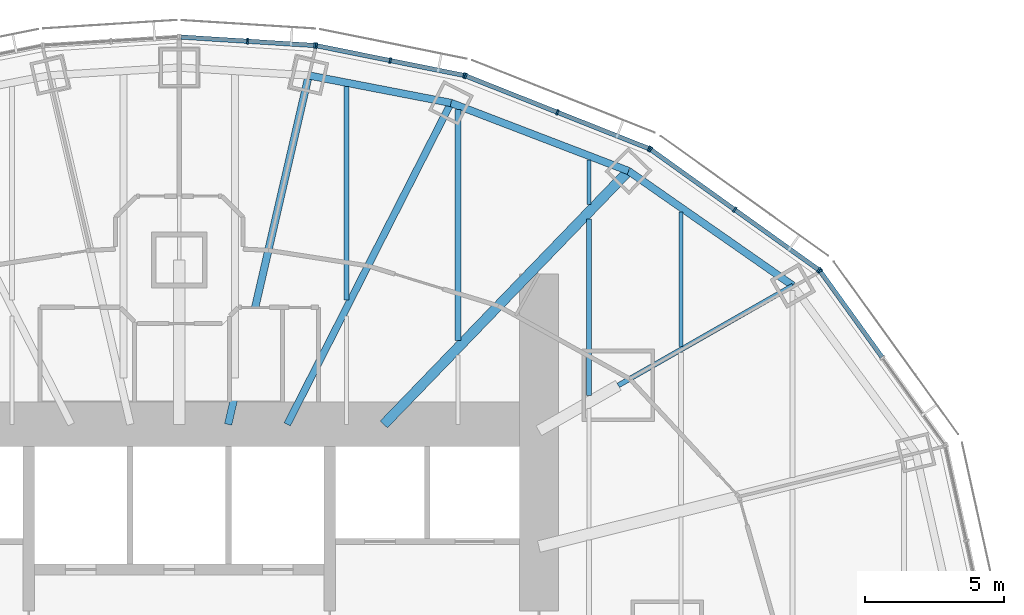
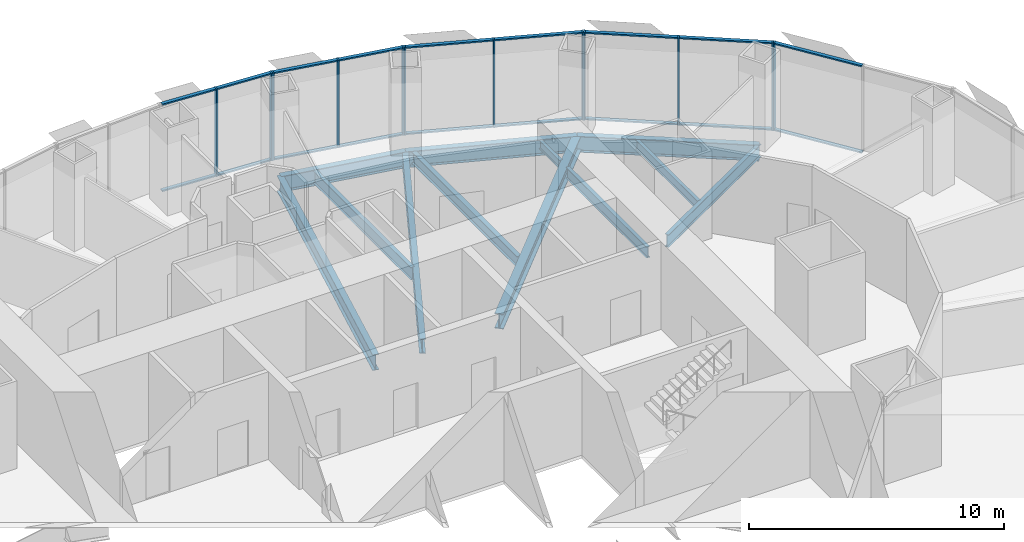
# One storey, part 8 of 17: 30 members, 12 beams, 5 elements without a shape of their own.
"""IFC4 building model written with IfcOpenShell, lengths in metres."""

import ifcopenshell
import ifcopenshell.guid

model = None  # the IFC model being written
_history = None  # IfcOwnerHistory: only IFC2X3 demands one
_inside = {}  # id of a spatial element -> (the spatial element, [elements in it])
_under = {}  # id of a project, library or spatial element -> (it, [spatial elements below it])
_declared = {}  # id of a project -> (the project, [libraries it declares])
_typed = {}  # id of a type object -> (the type object, [elements of that type])
_made_of = {}  # id of a material, layer set ... -> (it, [elements and type objects made of it])


def new_model(schema):
    """Start an empty IFC model of exactly this schema.

    Asked for "IFC4X3", IfcOpenShell would pick the latest addendum, in which some entities
    have other attributes; the version numbers below select the first issue.
    IFC2X3 requires an IfcOwnerHistory on every rooted entity: one is made here for all.
    """
    global model, _history
    if schema == "IFC4X3":
        model = ifcopenshell.file(schema_version=(4, 3, 0, 0))
    else:
        model = ifcopenshell.file(schema=schema)
    _inside.clear()
    _under.clear()
    _declared.clear()
    _typed.clear()
    _made_of.clear()
    _history = None
    if model.schema == "IFC2X3":
        org = make("IfcOrganization", Name="unknown")
        user = make(
            "IfcPersonAndOrganization",
            ThePerson=make("IfcPerson", FamilyName="unknown"),
            TheOrganization=org,
        )
        app = make(
            "IfcApplication",
            ApplicationDeveloper=org,
            Version="unknown",
            ApplicationFullName="unknown",
            ApplicationIdentifier="unknown",
        )
        _history = make(
            "IfcOwnerHistory",
            OwningUser=user,
            OwningApplication=app,
            ChangeAction="ADDED",
            CreationDate=0,
        )
    return model


def make(cls, **values):
    """One entity of the class cls with the attributes given. An attribute that is None is left unset."""
    return model.create_entity(
        cls, **{name: value for name, value in values.items() if value is not None}
    )


def rooted(cls, **values):
    """An entity with a GlobalId (a new one), such as an element, a storey or a relation."""
    return make(cls, GlobalId=ifcopenshell.guid.new(), OwnerHistory=_history, **values)


def si_unit(unit_type, name, prefix=None):
    """IfcSIUnit, for example si_unit("LENGTHUNIT", "METRE", prefix="MILLI")."""
    return make("IfcSIUnit", UnitType=unit_type, Prefix=prefix, Name=name)


def assignment(units):
    """IfcUnitAssignment: the units of a project."""
    return None if units is None else make("IfcUnitAssignment", Units=units)


def point(xyz):
    """IfcCartesianPoint."""
    return None if xyz is None else make("IfcCartesianPoint", Coordinates=xyz)


def direction(xyz):
    """IfcDirection."""
    return None if xyz is None else make("IfcDirection", DirectionRatios=xyz)


def frame(location, z_axis=None, x_axis=None):
    """IfcAxis2Placement3D, a coordinate frame: its origin and axes. An axis left out is left unset."""
    return make(
        "IfcAxis2Placement3D",
        Location=point(location),
        Axis=direction(z_axis),
        RefDirection=direction(x_axis),
    )


def frame_2d(location, x_axis=None):
    """IfcAxis2Placement2D, a coordinate frame in the plane: its origin and x axis."""
    return make(
        "IfcAxis2Placement2D", Location=point(location), RefDirection=direction(x_axis)
    )


def origin():
    """The frame at (0, 0, 0) with its axes left unset."""
    return frame((0.0, 0.0, 0.0))


def origin_2d():
    """The frame at (0, 0) in the plane with its x axis left unset."""
    return frame_2d((0.0, 0.0))


def place(relative_to, where):
    """IfcLocalPlacement: puts the frame where relative to a parent placement (None: the world)."""
    return make(
        "IfcLocalPlacement", PlacementRelTo=relative_to, RelativePlacement=where
    )


def context(
    kind, dimensions, precision=None, world=None, true_north=None, identifier=None
):
    """IfcGeometricRepresentationContext, for example the 3D "Model" context."""
    return make(
        "IfcGeometricRepresentationContext",
        ContextIdentifier=identifier,
        ContextType=kind,
        CoordinateSpaceDimension=dimensions,
        Precision=precision,
        WorldCoordinateSystem=world,
        TrueNorth=true_north,
    )


def subcontext(parent, identifier, kind, view, scale=None):
    """IfcGeometricRepresentationSubContext, for example "Body" below "Model"."""
    return make(
        "IfcGeometricRepresentationSubContext",
        ContextIdentifier=identifier,
        ContextType=kind,
        ParentContext=parent,
        TargetScale=scale,
        TargetView=view,
    )


def project(units=None, contexts=None):
    """IfcProject with its units and contexts."""
    return rooted(
        "IfcProject",
        Name="project",
        RepresentationContexts=contexts,
        UnitsInContext=assignment(units),
    )


def spatial(cls, under=None, at=None, **own):
    """A site, building, storey or space (cls), placed at a placement, below another one or the project."""
    s = rooted(cls, ObjectPlacement=at, **own)
    if under is not None:
        _under.setdefault(under.id(), (under, []))[1].append(s)
    return s


def profile(cls, at=None, kind="AREA", **sizes):
    """A parametric profile (cls). Its sizes go by their IFC names, for example OverallWidth=200.0."""
    return make(cls, ProfileType=kind, Position=at, **sizes)


def rectangle(**sizes):
    """IfcRectangleProfileDef."""
    return profile("IfcRectangleProfileDef", **sizes)


def i_section(**sizes):
    """IfcIShapeProfileDef."""
    return profile("IfcIShapeProfileDef", **sizes)


def extrude(swept, where, along, depth):
    """IfcExtrudedAreaSolid: the profile swept, set in the frame where, extruded along a direction by depth."""
    return make(
        "IfcExtrudedAreaSolid",
        SweptArea=swept,
        Position=where,
        ExtrudedDirection=direction(along),
        Depth=depth,
    )


def shape(context_of_items, identifier, shape_type, items):
    """IfcShapeRepresentation: the items that make up one representation, for example the "Body"."""
    return make(
        "IfcShapeRepresentation",
        ContextOfItems=context_of_items,
        RepresentationIdentifier=identifier,
        RepresentationType=shape_type,
        Items=items,
    )


def material(Name=None, Category=None):
    """IfcMaterial."""
    return make("IfcMaterial", Name=Name, Category=Category)


def material_profile(
    of_material, cross_section, Name=None, Category=None, Priority=None
):
    """IfcMaterialProfile: a cross section and its material."""
    return make(
        "IfcMaterialProfile",
        Name=Name,
        Material=of_material,
        Profile=cross_section,
        Priority=Priority,
        Category=Category,
    )


def profile_set(profiles, Name=None, composite=None):
    """IfcMaterialProfileSet."""
    return make(
        "IfcMaterialProfileSet",
        Name=Name,
        MaterialProfiles=profiles,
        CompositeProfile=composite,
    )


def made_of(thing, what):
    """Note that an element or type object is made of a material, layer set ...; save() writes the relation."""
    if what is not None:
        _made_of.setdefault(what.id(), (what, []))[1].append(thing)
    return thing


def type_object(cls, material=None, **own):
    """A type object (cls), such as IfcWallType, which elements share."""
    return made_of(rooted(cls, **own), material)


def element(
    cls,
    number,
    at=None,
    inside=None,
    cuts=None,
    type_object=None,
    material=None,
    context=None,
    identifier="Body",
    shape_type=None,
    held_by="IfcProductDefinitionShape",
    body=None,
    shapes=None,
    **own,
):
    """One element of the class cls, such as IfcWall. Its Tag is "e" and its number.

    at: its placement. inside: the storey or other place that contains it. cuts: it is an
    opening in that element (IfcRelVoidsElement). A single representation is given by context,
    identifier, shape_type and body (its items); several are given by shapes. held_by: the class
    of the entity that holds the representations. save() writes the other relations.
    """
    e = rooted(cls, Tag="e%d" % number, ObjectPlacement=at, **own)
    if body is not None:
        shapes = [shape(context, identifier, shape_type, body)]
    if shapes is not None:
        e.Representation = make(held_by, Representations=shapes)
    if inside is not None:
        _inside.setdefault(inside.id(), (inside, []))[1].append(e)
    if cuts is not None:
        rooted(
            "IfcRelVoidsElement", RelatingBuildingElement=cuts, RelatedOpeningElement=e
        )
    if type_object is not None:
        _typed.setdefault(type_object.id(), (type_object, []))[1].append(e)
    return made_of(e, material)


def aggregate(whole, parts):
    """IfcRelAggregates: a whole, such as a stair, and the parts it consists of."""
    return rooted("IfcRelAggregates", RelatingObject=whole, RelatedObjects=parts)


def save(model, path):
    """Write the relations noted so far, then the file.

    IfcRelAggregates (storeys below a building ...), IfcRelContainedInSpatialStructure (elements
    in a storey), IfcRelDefinesByType, IfcRelAssociatesMaterial and IfcRelDeclares: one each for
    every whole, place, type object, material and project.
    """
    for whole, parts in _under.values():
        aggregate(whole, parts)
    for where, things in _inside.values():
        rooted(
            "IfcRelContainedInSpatialStructure",
            RelatedElements=things,
            RelatingStructure=where,
        )
    for kind, things in _typed.values():
        rooted("IfcRelDefinesByType", RelatedObjects=things, RelatingType=kind)
    for what, things in _made_of.values():
        rooted("IfcRelAssociatesMaterial", RelatedObjects=things, RelatingMaterial=what)
    for by, libraries in _declared.values():
        rooted("IfcRelDeclares", RelatingContext=by, RelatedDefinitions=libraries)
    model.write(path)


model = new_model("IFC4")

# Units and contexts
model_context = context("Model", 3, precision=1e-05, world=origin(), true_north=direction((0.0, 1.0)))
body_context = subcontext(model_context, "Body", "Model", "MODEL_VIEW")
ifc_project = project(units=[si_unit("LENGTHUNIT", "METRE"), si_unit("AREAUNIT", "SQUARE_METRE"), si_unit("VOLUMEUNIT", "CUBIC_METRE"), si_unit("PLANEANGLEUNIT", "RADIAN"), si_unit("MASSUNIT", "GRAM", prefix="KILO")], contexts=[model_context])

# Site, building, storey
site_placement = place(None, origin())
site = spatial("IfcSite", under=ifc_project, at=site_placement, CompositionType="ELEMENT")
building_placement = place(site_placement, origin())
building = spatial("IfcBuilding", under=site, at=building_placement, Name="Lantaw Convention Tower", CompositionType="ELEMENT")
storey_placement = place(building_placement, frame((0.0, 0.0, 159.39990234375)))
storey = spatial("IfcBuildingStorey", under=building, at=storey_placement, Name="L37", CompositionType="ELEMENT", Elevation=159.39990234375)

# Beams
ifc_material_1 = material(Name="Steel ASTM A992", Category="steel")
ifc_material_profile_1 = material_profile(ifc_material_1, i_section(OverallWidth=0.2666015625, OverallDepth=0.76953125, WebThickness=0.015625, FlangeThickness=0.025390625, FilletRadius=0.0126953125, at=origin_2d()), Name="W30X132")
ifc_profile_set_1 = profile_set([ifc_material_profile_1], Name="Steel ASTM A992")
beam_type_1 = type_object("IfcBeamType", Name="Beam E W30X132", PredefinedType="SPANDREL", material=ifc_profile_set_1)
beam_1_placement = place(storey_placement, frame((22.013916015625, 12.579345703125, -0.53466796875), z_axis=(-0.820310765287, 0.57191804339, 0.0), x_axis=(-0.57191804339, -0.820310765287, 0.0)))
element("IfcBeam", 1, at=beam_1_placement, inside=storey, type_object=beam_type_1, Name="Edge beam 3", PredefinedType="SPANDREL", context=body_context, shape_type="SweptSolid", body=[
    extrude(i_section(OverallWidth=0.2666015625, OverallDepth=0.76953125, WebThickness=0.015625, FlangeThickness=0.025390625, FilletRadius=0.0126953125, at=origin_2d()), origin(), (0.0, 0.0, 1.0), 7.187744140625),
])
beam_2_placement = place(storey_placement, frame((16.11767578125, 16.690185546875, -0.53466796875), z_axis=(-0.933691081977, 0.358079549033, 0.0), x_axis=(-0.358079549033, -0.933691081977, 0.0)))
element("IfcBeam", 2, at=beam_2_placement, inside=storey, type_object=beam_type_1, Name="Edge beam 4", PredefinedType="SPANDREL", context=body_context, shape_type="SweptSolid", body=[
    extrude(i_section(OverallWidth=0.2666015625, OverallDepth=0.76953125, WebThickness=0.015625, FlangeThickness=0.025390625, FilletRadius=0.0126953125, at=origin_2d()), origin(), (0.0, 0.0, 1.0), 6.821533203125),
])
beam_3_placement = place(storey_placement, frame((9.74853515625, 19.1328125, -0.53466796875), z_axis=(-0.981796805654, 0.189934284446, 0.0), x_axis=(-0.189934284446, -0.981796805654, 0.0)))
element("IfcBeam", 3, at=beam_3_placement, inside=storey, type_object=beam_type_1, Name="Edge beam 5", PredefinedType="SPANDREL", context=body_context, shape_type="SweptSolid", body=[
    extrude(i_section(OverallWidth=0.2666015625, OverallDepth=0.76953125, WebThickness=0.015625, FlangeThickness=0.025390625, FilletRadius=0.0126953125, at=origin_2d()), origin(), (0.0, 0.0, 1.0), 5.1982421875),
])
ifc_material_profile_2 = material_profile(ifc_material_1, i_section(OverallWidth=0.177978515625, OverallDepth=0.599365234375, WebThickness=0.010009765625, FlangeThickness=0.012939453125, FilletRadius=0.012939453125, at=origin_2d()), Name="W24X55")
ifc_profile_set_2 = profile_set([ifc_material_profile_2], Name="Steel ASTM A992")
beam_type_2 = type_object("IfcBeamType", Name="Beam G W24X55", PredefinedType="BEAM", material=ifc_profile_set_2)
beam_4_placement = place(storey_placement, frame((15.75, 9.0, -0.44970703125), z_axis=(0.868245224608, 0.496135293993, 0.0), x_axis=(-0.496135293993, 0.868245224608, 0.0)))
element("IfcBeam", 4, at=beam_4_placement, inside=storey, type_object=beam_type_2, Name="Floor girder on ray 3", PredefinedType="BEAM", context=body_context, shape_type="SweptSolid", body=[
    extrude(i_section(OverallWidth=0.177978515625, OverallDepth=0.599365234375, WebThickness=0.010009765625, FlangeThickness=0.012939453125, FilletRadius=0.012939453125, at=origin_2d()), origin(), (0.0, 0.0, 1.0), 7.21435546875),
])
ifc_material_profile_3 = material_profile(ifc_material_1, i_section(OverallWidth=0.25390625, OverallDepth=0.700927734375, WebThickness=0.015380859375, FlangeThickness=0.02783203125, FilletRadius=0.01513671875, at=origin_2d()), Name="W27X129")
ifc_profile_set_3 = profile_set([ifc_material_profile_3], Name="Steel ASTM A992")
beam_type_3 = type_object("IfcBeamType", Name="Beam G W27X129", PredefinedType="BEAM", material=ifc_profile_set_3)
beam_5_placement = place(storey_placement, frame((3.872314453125, 7.60009765625, -0.50048828125), z_axis=(0.453991051051, 0.891006243281, 0.0), x_axis=(-0.891006243281, 0.453991051051, 0.0)))
element("IfcBeam", 5, at=beam_5_placement, inside=storey, type_object=beam_type_3, Name="Floor girder on ray 5", PredefinedType="BEAM", context=body_context, shape_type="SweptSolid", body=[
    extrude(i_section(OverallWidth=0.25390625, OverallDepth=0.700927734375, WebThickness=0.015380859375, FlangeThickness=0.02783203125, FilletRadius=0.01513671875, at=origin_2d()), origin(), (0.0, 0.0, 1.0), 12.943359375),
])
ifc_material_profile_4 = material_profile(ifc_material_1, i_section(OverallWidth=0.360595703125, OverallDepth=0.72900390625, WebThickness=0.023193359375, FlangeThickness=0.041015625, FilletRadius=0.0126953125, at=origin_2d()), Name="W27X235")
ifc_profile_set_4 = profile_set([ifc_material_profile_4], Name="Steel ASTM A992")
beam_type_4 = type_object("IfcBeamType", Name="Beam G W27X235", PredefinedType="BEAM", material=ifc_profile_set_4)
beam_6_placement = place(storey_placement, frame((7.33935546875, 7.60009765625, -0.514404296875), z_axis=(0.694663467407, 0.719334878239, 0.0), x_axis=(-0.719334878239, 0.694663467407, 0.0)))
element("IfcBeam", 6, at=beam_6_placement, inside=storey, type_object=beam_type_4, Name="Floor girder on ray 4", PredefinedType="BEAM", context=body_context, shape_type="SweptSolid", body=[
    extrude(i_section(OverallWidth=0.360595703125, OverallDepth=0.72900390625, WebThickness=0.023193359375, FlangeThickness=0.041015625, FilletRadius=0.0126953125, at=origin_2d()), origin(), (0.0, 0.0, 1.0), 12.63671875),
])
ifc_material_profile_5 = material_profile(ifc_material_1, i_section(OverallWidth=0.2666015625, OverallDepth=0.7568359375, WebThickness=0.013916015625, FlangeThickness=0.019287109375, FilletRadius=0.0126953125, at=origin_2d()), Name="W30X108")
ifc_profile_set_5 = profile_set([ifc_material_profile_5], Name="Steel ASTM A992")
beam_type_5 = type_object("IfcBeamType", Name="Beam G W30X108", PredefinedType="BEAM", material=ifc_profile_set_5)
beam_7_placement = place(storey_placement, frame((1.754638671875, 7.60009765625, -0.5283203125), z_axis=(0.224944153104, 0.974371658036, 0.0), x_axis=(-0.974371658036, 0.224944153104, 0.0)))
element("IfcBeam", 7, at=beam_7_placement, inside=storey, type_object=beam_type_5, Name="Floor girder on ray 6", PredefinedType="BEAM", context=body_context, shape_type="SweptSolid", body=[
    extrude(i_section(OverallWidth=0.2666015625, OverallDepth=0.7568359375, WebThickness=0.013916015625, FlangeThickness=0.019287109375, FilletRadius=0.0126953125, at=origin_2d()), origin(), (0.0, 0.0, 1.0), 12.849365234375),
])
ifc_material_profile_6 = material_profile(ifc_material_1, i_section(OverallWidth=0.140380859375, OverallDepth=0.40380859375, WebThickness=0.007080078125, FlangeThickness=0.01123046875, FilletRadius=0.01025390625, at=origin_2d()), Name="W16X31")
ifc_profile_set_6 = profile_set([ifc_material_profile_6], Name="Steel ASTM A992")
beam_type_6 = type_object("IfcBeamType", Name="Beam J W16X31", PredefinedType="JOIST", material=ifc_profile_set_6)
beam_8_placement = place(storey_placement, frame((14.699951171875, 15.48193359375, -0.351806640625), z_axis=(0.0, 1.0, 0.0), x_axis=(-1.0, 0.0, 0.0)))
element("IfcBeam", 8, at=beam_8_placement, inside=storey, type_object=beam_type_6, Name="Floor joist", PredefinedType="JOIST", context=body_context, shape_type="SweptSolid", body=[
    extrude(i_section(OverallWidth=0.140380859375, OverallDepth=0.40380859375, WebThickness=0.007080078125, FlangeThickness=0.01123046875, FilletRadius=0.01025390625, at=origin_2d()), origin(), (0.0, 0.0, 1.0), 1.609130859375),
])
ifc_material_profile_7 = material_profile(ifc_material_1, i_section(OverallWidth=0.15234375, OverallDepth=0.449462890625, WebThickness=0.007568359375, FlangeThickness=0.0107421875, FilletRadius=0.01025390625, at=origin_2d()), Name="W18X35")
ifc_profile_set_7 = profile_set([ifc_material_profile_7], Name="Steel ASTM A992")
beam_type_7 = type_object("IfcBeamType", Name="Beam J W18X35", PredefinedType="JOIST", material=ifc_profile_set_7)
beam_9_placement = place(storey_placement, frame((18.0, 10.38818359375, -0.374755859375), z_axis=(0.0, 1.0, 0.0), x_axis=(-1.0, 0.0, 0.0)))
element("IfcBeam", 9, at=beam_9_placement, inside=storey, type_object=beam_type_7, Name="Floor joist", PredefinedType="JOIST", context=body_context, shape_type="SweptSolid", body=[
    extrude(i_section(OverallWidth=0.15234375, OverallDepth=0.449462890625, WebThickness=0.007568359375, FlangeThickness=0.0107421875, FilletRadius=0.01025390625, at=origin_2d()), origin(), (0.0, 0.0, 1.0), 4.8271484375),
])
ifc_material_profile_8 = material_profile(ifc_material_1, i_section(OverallWidth=0.1650390625, OverallDepth=0.52587890625, WebThickness=0.0087890625, FlangeThickness=0.011474609375, FilletRadius=0.0126953125, at=origin_2d()), Name="W21X44")
ifc_profile_set_8 = profile_set([ifc_material_profile_8], Name="Steel ASTM A992")
beam_type_8 = type_object("IfcBeamType", Name="Beam J W21X44", PredefinedType="JOIST", material=ifc_profile_set_8)
beam_10_placement = place(storey_placement, frame((14.699951171875, 8.632568359375, -0.412841796875), z_axis=(0.0, 1.0, 0.0), x_axis=(-1.0, 0.0, 0.0)))
element("IfcBeam", 10, at=beam_10_placement, inside=storey, type_object=beam_type_8, Name="Floor joist", PredefinedType="JOIST", context=body_context, shape_type="SweptSolid", body=[
    extrude(i_section(OverallWidth=0.1650390625, OverallDepth=0.52587890625, WebThickness=0.0087890625, FlangeThickness=0.011474609375, FilletRadius=0.0126953125, at=origin_2d()), origin(), (0.0, 0.0, 1.0), 6.330078125),
])
ifc_material_profile_9 = material_profile(ifc_material_1, i_section(OverallWidth=0.2099609375, OverallDepth=0.535888671875, WebThickness=0.010986328125, FlangeThickness=0.017333984375, FilletRadius=0.012939453125, at=origin_2d()), Name="W21X68")
ifc_profile_set_9 = profile_set([ifc_material_profile_9], Name="Steel ASTM A992")
beam_type_9 = type_object("IfcBeamType", Name="Beam J W21X68", PredefinedType="JOIST", material=ifc_profile_set_9)
beam_11_placement = place(storey_placement, frame((10.0, 10.614990234375, -0.41796875), z_axis=(0.0, 1.0, 0.0), x_axis=(-1.0, 0.0, 0.0)))
element("IfcBeam", 11, at=beam_11_placement, inside=storey, type_object=beam_type_9, Name="Floor joist", PredefinedType="JOIST", context=body_context, shape_type="SweptSolid", body=[
    extrude(i_section(OverallWidth=0.2099609375, OverallDepth=0.535888671875, WebThickness=0.010986328125, FlangeThickness=0.017333984375, FilletRadius=0.012939453125, at=origin_2d()), origin(), (0.0, 0.0, 1.0), 8.278564453125),
])
ifc_material_profile_10 = material_profile(ifc_material_1, i_section(OverallWidth=0.177978515625, OverallDepth=0.599365234375, WebThickness=0.010009765625, FlangeThickness=0.012939453125, FilletRadius=0.012939453125, at=origin_2d()), Name="W24X55")
ifc_profile_set_10 = profile_set([ifc_material_profile_10], Name="Steel ASTM A992")
beam_type_10 = type_object("IfcBeamType", Name="Beam J W24X55", PredefinedType="JOIST", material=ifc_profile_set_10)
beam_12_placement = place(storey_placement, frame((6.0, 12.055419921875, -0.44970703125), z_axis=(0.0, 1.0, 0.0), x_axis=(-1.0, 0.0, 0.0)))
element("IfcBeam", 12, at=beam_12_placement, inside=storey, type_object=beam_type_10, Name="Floor joist", PredefinedType="JOIST", context=body_context, shape_type="SweptSolid", body=[
    extrude(i_section(OverallWidth=0.177978515625, OverallDepth=0.599365234375, WebThickness=0.010009765625, FlangeThickness=0.012939453125, FilletRadius=0.012939453125, at=origin_2d()), origin(), (0.0, 0.0, 1.0), 7.666748046875),
])

# Curtain wall, member
ifc_material_2 = material(Name="Aluminium framed curtain wall", Category="aluminium")
curtain_wall_type = type_object("IfcCurtainWallType", Name="Office curtain wall low rise, pale aluminium", PredefinedType="USERDEFINED", material=ifc_material_2)
curtain_wall_1_placement = place(storey_placement, origin())
curtain_wall_1 = element("IfcCurtainWall", 13, at=curtain_wall_1_placement, inside=storey, type_object=curtain_wall_type, Name="Office curtain wall low rise, pale aluminium L37", ObjectType="UNITISED CURTAIN WALL", PredefinedType="USERDEFINED")
ifc_material_3 = material(Name="Aluminium 6063-T6", Category="aluminium")
ifc_material_profile_11 = material_profile(ifc_material_3, rectangle(XDim=0.199951171875, YDim=0.06494140625, at=origin_2d()), Name="CW-O1 mullion 65x200")
ifc_profile_set_11 = profile_set([ifc_material_profile_11], Name="Aluminium 6063-T6")
member_type_1 = type_object("IfcMemberType", Name="CW-O1 mullion 65x200", PredefinedType="MULLION", material=ifc_profile_set_11)
member_1_placement = place(storey_placement, frame((22.988037109375, 13.098876953125, -0.14990234375), z_axis=(0.0, 0.0, 1.0), x_axis=(-0.811384633629, -0.584512597221, 0.0)))
member_1 = element("IfcMember", 14, at=member_1_placement, type_object=member_type_1, Name="CW-O1 mullion 3", PredefinedType="MULLION", context=body_context, shape_type="SweptSolid", body=[
    extrude(rectangle(XDim=0.199951171875, YDim=0.06494140625, at=origin_2d()), origin(), (0.0, 0.0, 1.0), 4.199951171875),
])

# Curtain wall, members
curtain_wall_2_placement = place(storey_placement, origin())
curtain_wall_2 = element("IfcCurtainWall", 15, at=curtain_wall_2_placement, inside=storey, type_object=curtain_wall_type, Name="Office curtain wall low rise, pale aluminium L37", ObjectType="UNITISED CURTAIN WALL", PredefinedType="USERDEFINED")
member_2_placement = place(storey_placement, frame((22.942626953125, 13.14404296875, -0.14990234375), z_axis=(0.0, 0.0, 1.0), x_axis=(-0.581972695693, -0.813208325995, 0.0)))
member_2 = element("IfcMember", 16, at=member_2_placement, type_object=member_type_1, Name="CW-O1 mullion 1", PredefinedType="MULLION", context=body_context, shape_type="SweptSolid", body=[
    extrude(rectangle(XDim=0.199951171875, YDim=0.06494140625, at=origin_2d()), origin(), (0.0, 0.0, 1.0), 4.199951171875),
])
member_3_placement = place(storey_placement, frame((19.92529296875, 15.303466796875, -0.14990234375), z_axis=(0.0, 0.0, 1.0), x_axis=(-0.581972695693, -0.813208325995, 0.0)))
member_3 = element("IfcMember", 17, at=member_3_placement, type_object=member_type_1, Name="CW-O1 mullion 2", PredefinedType="MULLION", context=body_context, shape_type="SweptSolid", body=[
    extrude(rectangle(XDim=0.199951171875, YDim=0.06494140625, at=origin_2d()), origin(), (0.0, 0.0, 1.0), 4.199951171875),
])
member_4_placement = place(storey_placement, frame((16.908203125, 17.462646484375, -0.14990234375), z_axis=(0.0, 0.0, 1.0), x_axis=(-0.581972695693, -0.813208325995, 0.0)))
member_4 = element("IfcMember", 18, at=member_4_placement, type_object=member_type_1, Name="CW-O1 mullion 3", PredefinedType="MULLION", context=body_context, shape_type="SweptSolid", body=[
    extrude(rectangle(XDim=0.199951171875, YDim=0.06494140625, at=origin_2d()), origin(), (0.0, 0.0, 1.0), 4.199951171875),
])

curtain_wall_3_placement = place(storey_placement, origin())
curtain_wall_3 = element("IfcCurtainWall", 19, at=curtain_wall_3_placement, inside=storey, type_object=curtain_wall_type, Name="Office curtain wall low rise, pale aluminium L37", ObjectType="UNITISED CURTAIN WALL", PredefinedType="USERDEFINED")
member_5_placement = place(storey_placement, frame((16.8515625, 17.49365234375, -0.14990234375), z_axis=(0.0, 0.0, 1.0), x_axis=(-0.368701907483, -0.929547687544, 0.0)))
member_5 = element("IfcMember", 20, at=member_5_placement, type_object=member_type_1, Name="CW-O1 mullion 1", PredefinedType="MULLION", context=body_context, shape_type="SweptSolid", body=[
    extrude(rectangle(XDim=0.199951171875, YDim=0.06494140625, at=origin_2d()), origin(), (0.0, 0.0, 1.0), 4.199951171875),
])
member_6_placement = place(storey_placement, frame((13.56494140625, 18.797119140625, -0.14990234375), z_axis=(0.0, 0.0, 1.0), x_axis=(-0.368701907483, -0.929547687544, 0.0)))
member_6 = element("IfcMember", 21, at=member_6_placement, type_object=member_type_1, Name="CW-O1 mullion 2", PredefinedType="MULLION", context=body_context, shape_type="SweptSolid", body=[
    extrude(rectangle(XDim=0.199951171875, YDim=0.06494140625, at=origin_2d()), origin(), (0.0, 0.0, 1.0), 4.199951171875),
])
member_7_placement = place(storey_placement, frame((10.2783203125, 20.100830078125, -0.14990234375), z_axis=(0.0, 0.0, 1.0), x_axis=(-0.368701907483, -0.929547687544, 0.0)))
member_7 = element("IfcMember", 22, at=member_7_placement, type_object=member_type_1, Name="CW-O1 mullion 3", PredefinedType="MULLION", context=body_context, shape_type="SweptSolid", body=[
    extrude(rectangle(XDim=0.199951171875, YDim=0.06494140625, at=origin_2d()), origin(), (0.0, 0.0, 1.0), 4.199951171875),
])

curtain_wall_4_placement = place(storey_placement, origin())
curtain_wall_4 = element("IfcCurtainWall", 23, at=curtain_wall_4_placement, inside=storey, type_object=curtain_wall_type, Name="Office curtain wall low rise, pale aluminium L37", ObjectType="UNITISED CURTAIN WALL", PredefinedType="USERDEFINED")
member_8_placement = place(storey_placement, frame((10.216064453125, 20.119140625, -0.14990234375), z_axis=(0.0, 0.0, 1.0), x_axis=(-0.197506809659, -0.980301514912, 0.0)))
member_8 = element("IfcMember", 24, at=member_8_placement, type_object=member_type_1, Name="CW-O1 mullion 1", PredefinedType="MULLION", context=body_context, shape_type="SweptSolid", body=[
    extrude(rectangle(XDim=0.199951171875, YDim=0.06494140625, at=origin_2d()), origin(), (0.0, 0.0, 1.0), 4.199951171875),
])
member_9_placement = place(storey_placement, frame((7.5703125, 20.65234375, -0.14990234375), z_axis=(0.0, 0.0, 1.0), x_axis=(-0.197506809659, -0.980301514912, 0.0)))
member_9 = element("IfcMember", 25, at=member_9_placement, type_object=member_type_1, Name="CW-O1 mullion 2", PredefinedType="MULLION", context=body_context, shape_type="SweptSolid", body=[
    extrude(rectangle(XDim=0.199951171875, YDim=0.06494140625, at=origin_2d()), origin(), (0.0, 0.0, 1.0), 4.199951171875),
])
member_10_placement = place(storey_placement, frame((4.92431640625, 21.185302734375, -0.14990234375), z_axis=(0.0, 0.0, 1.0), x_axis=(-0.197506809659, -0.980301514912, 0.0)))
member_10 = element("IfcMember", 26, at=member_10_placement, type_object=member_type_1, Name="CW-O1 mullion 3", PredefinedType="MULLION", context=body_context, shape_type="SweptSolid", body=[
    extrude(rectangle(XDim=0.199951171875, YDim=0.06494140625, at=origin_2d()), origin(), (0.0, 0.0, 1.0), 4.199951171875),
])

curtain_wall_5_placement = place(storey_placement, origin())
curtain_wall_5 = element("IfcCurtainWall", 27, at=curtain_wall_5_placement, inside=storey, type_object=curtain_wall_type, Name="Office curtain wall low rise, pale aluminium L37", ObjectType="UNITISED CURTAIN WALL", PredefinedType="USERDEFINED")
member_11_placement = place(storey_placement, frame((4.860107421875, 21.19384765625, -0.14990234375), z_axis=(0.0, 0.0, 1.0), x_axis=(-0.062865059466, -0.998022035978, 0.0)))
member_11 = element("IfcMember", 28, at=member_11_placement, type_object=member_type_1, Name="CW-O1 mullion 1", PredefinedType="MULLION", context=body_context, shape_type="SweptSolid", body=[
    extrude(rectangle(XDim=0.199951171875, YDim=0.06494140625, at=origin_2d()), origin(), (0.0, 0.0, 1.0), 4.199951171875),
])
member_12_placement = place(storey_placement, frame((2.4462890625, 21.345947265625, -0.14990234375), z_axis=(0.0, 0.0, 1.0), x_axis=(-0.062865059466, -0.998022035978, 0.0)))
member_12 = element("IfcMember", 29, at=member_12_placement, type_object=member_type_1, Name="CW-O1 mullion 2", PredefinedType="MULLION", context=body_context, shape_type="SweptSolid", body=[
    extrude(rectangle(XDim=0.199951171875, YDim=0.06494140625, at=origin_2d()), origin(), (0.0, 0.0, 1.0), 4.199951171875),
])

# Member
ifc_material_profile_12 = material_profile(ifc_material_3, rectangle(XDim=0.159912109375, YDim=0.06494140625, at=origin_2d()), Name="CW-O1 transom 65x160")
ifc_profile_set_12 = profile_set([ifc_material_profile_12], Name="Aluminium 6063-T6")
member_type_2 = type_object("IfcMemberType", Name="CW-O1 transom 65x160", PredefinedType="USERDEFINED", material=ifc_profile_set_12)
member_13_placement = place(storey_placement, frame((25.209228515625, 10.015625, -0.117431640625), z_axis=(-0.584512973979, 0.811384362217, 0.0), x_axis=(-0.811384362217, -0.584512973979, 0.0)))
member_13 = element("IfcMember", 30, at=member_13_placement, type_object=member_type_2, Name="CW-O1 transom 2.1", ObjectType="TRANSOM", PredefinedType="USERDEFINED", context=body_context, shape_type="SweptSolid", body=[
    extrude(rectangle(XDim=0.159912109375, YDim=0.06494140625, at=origin_2d()), origin(), (0.0, 0.0, 1.0), 3.767578125),
])

member_14_placement = place(storey_placement, frame((25.209228515625, 10.015625, 4.017578125), z_axis=(-0.584512973979, 0.811384362217, 0.0), x_axis=(-0.811384362217, -0.584512973979, 0.0)))
member_14 = element("IfcMember", 31, at=member_14_placement, type_object=member_type_2, Name="CW-O1 transom 2.2", ObjectType="TRANSOM", PredefinedType="USERDEFINED", context=body_context, shape_type="SweptSolid", body=[
    extrude(rectangle(XDim=0.159912109375, YDim=0.06494140625, at=origin_2d()), origin(), (0.0, 0.0, 1.0), 3.767578125),
])

aggregate(curtain_wall_1, [member_1, member_13, member_14])

member_15_placement = place(storey_placement, frame((22.916259765625, 13.1630859375, -0.117431640625), z_axis=(-0.813221785972, 0.581953887194, 0.0), x_axis=(-0.581953887194, -0.813221785972, 0.0)))
member_15 = element("IfcMember", 32, at=member_15_placement, type_object=member_type_2, Name="CW-O1 transom 1.1", ObjectType="TRANSOM", PredefinedType="USERDEFINED", context=body_context, shape_type="SweptSolid", body=[
    extrude(rectangle(XDim=0.159912109375, YDim=0.06494140625, at=origin_2d()), origin(), (0.0, 0.0, 1.0), 3.645263671875),
])

member_16_placement = place(storey_placement, frame((22.916259765625, 13.1630859375, 4.017578125), z_axis=(-0.813221785972, 0.581953887194, 0.0), x_axis=(-0.581953887194, -0.813221785972, 0.0)))
member_16 = element("IfcMember", 33, at=member_16_placement, type_object=member_type_2, Name="CW-O1 transom 1.2", ObjectType="TRANSOM", PredefinedType="USERDEFINED", context=body_context, shape_type="SweptSolid", body=[
    extrude(rectangle(XDim=0.159912109375, YDim=0.06494140625, at=origin_2d()), origin(), (0.0, 0.0, 1.0), 3.645263671875),
])

member_17_placement = place(storey_placement, frame((19.89892578125, 15.322265625, -0.117431640625), z_axis=(-0.813190089133, 0.581998177777, 0.0), x_axis=(-0.581998177777, -0.813190089133, 0.0)))
member_17 = element("IfcMember", 34, at=member_17_placement, type_object=member_type_2, Name="CW-O1 transom 2.1", ObjectType="TRANSOM", PredefinedType="USERDEFINED", context=body_context, shape_type="SweptSolid", body=[
    extrude(rectangle(XDim=0.159912109375, YDim=0.06494140625, at=origin_2d()), origin(), (0.0, 0.0, 1.0), 3.645263671875),
])

member_18_placement = place(storey_placement, frame((19.89892578125, 15.322265625, 4.017578125), z_axis=(-0.813190089133, 0.581998177777, 0.0), x_axis=(-0.581998177777, -0.813190089133, 0.0)))
member_18 = element("IfcMember", 35, at=member_18_placement, type_object=member_type_2, Name="CW-O1 transom 2.2", ObjectType="TRANSOM", PredefinedType="USERDEFINED", context=body_context, shape_type="SweptSolid", body=[
    extrude(rectangle(XDim=0.159912109375, YDim=0.06494140625, at=origin_2d()), origin(), (0.0, 0.0, 1.0), 3.645263671875),
])

aggregate(curtain_wall_2, [member_2, member_3, member_4, member_15, member_16, member_17, member_18])

member_19_placement = place(storey_placement, frame((16.8212890625, 17.505615234375, -0.117431640625), z_axis=(-0.929564188507, 0.368660303592, 0.0), x_axis=(-0.368660303592, -0.929564188507, 0.0)))
member_19 = element("IfcMember", 36, at=member_19_placement, type_object=member_type_2, Name="CW-O1 transom 1.1", ObjectType="TRANSOM", PredefinedType="USERDEFINED", context=body_context, shape_type="SweptSolid", body=[
    extrude(rectangle(XDim=0.159912109375, YDim=0.06494140625, at=origin_2d()), origin(), (0.0, 0.0, 1.0), 3.470703125),
])

member_20_placement = place(storey_placement, frame((16.8212890625, 17.505615234375, 4.017578125), z_axis=(-0.929564188507, 0.368660303592, 0.0), x_axis=(-0.368660303592, -0.929564188507, 0.0)))
member_20 = element("IfcMember", 37, at=member_20_placement, type_object=member_type_2, Name="CW-O1 transom 1.2", ObjectType="TRANSOM", PredefinedType="USERDEFINED", context=body_context, shape_type="SweptSolid", body=[
    extrude(rectangle(XDim=0.159912109375, YDim=0.06494140625, at=origin_2d()), origin(), (0.0, 0.0, 1.0), 3.470703125),
])

member_21_placement = place(storey_placement, frame((13.53466796875, 18.80908203125, -0.117431640625), z_axis=(-0.929540081544, 0.368721082668, 0.0), x_axis=(-0.368721082668, -0.929540081544, 0.0)))
member_21 = element("IfcMember", 38, at=member_21_placement, type_object=member_type_2, Name="CW-O1 transom 2.1", ObjectType="TRANSOM", PredefinedType="USERDEFINED", context=body_context, shape_type="SweptSolid", body=[
    extrude(rectangle(XDim=0.159912109375, YDim=0.06494140625, at=origin_2d()), origin(), (0.0, 0.0, 1.0), 3.470947265625),
])

member_22_placement = place(storey_placement, frame((13.53466796875, 18.80908203125, 4.017578125), z_axis=(-0.929540081544, 0.368721082668, 0.0), x_axis=(-0.368721082668, -0.929540081544, 0.0)))
member_22 = element("IfcMember", 39, at=member_22_placement, type_object=member_type_2, Name="CW-O1 transom 2.2", ObjectType="TRANSOM", PredefinedType="USERDEFINED", context=body_context, shape_type="SweptSolid", body=[
    extrude(rectangle(XDim=0.159912109375, YDim=0.06494140625, at=origin_2d()), origin(), (0.0, 0.0, 1.0), 3.470947265625),
])

aggregate(curtain_wall_3, [member_5, member_6, member_7, member_19, member_20, member_21, member_22])

member_23_placement = place(storey_placement, frame((10.184326171875, 20.125732421875, -0.117431640625), z_axis=(-0.980301643003, 0.197506173891, 0.0), x_axis=(-0.197506173891, -0.980301643003, 0.0)))
member_23 = element("IfcMember", 40, at=member_23_placement, type_object=member_type_2, Name="CW-O1 transom 1.1", ObjectType="TRANSOM", PredefinedType="USERDEFINED", context=body_context, shape_type="SweptSolid", body=[
    extrude(rectangle(XDim=0.159912109375, YDim=0.06494140625, at=origin_2d()), origin(), (0.0, 0.0, 1.0), 2.63427734375),
])

member_24_placement = place(storey_placement, frame((10.184326171875, 20.125732421875, 4.017578125), z_axis=(-0.980301643003, 0.197506173891, 0.0), x_axis=(-0.197506173891, -0.980301643003, 0.0)))
member_24 = element("IfcMember", 41, at=member_24_placement, type_object=member_type_2, Name="CW-O1 transom 1.2", ObjectType="TRANSOM", PredefinedType="USERDEFINED", context=body_context, shape_type="SweptSolid", body=[
    extrude(rectangle(XDim=0.159912109375, YDim=0.06494140625, at=origin_2d()), origin(), (0.0, 0.0, 1.0), 2.63427734375),
])

member_25_placement = place(storey_placement, frame((7.538330078125, 20.65869140625, -0.117431640625), z_axis=(-0.980298027092, 0.197524120247, 0.0), x_axis=(-0.197524120247, -0.980298027092, 0.0)))
member_25 = element("IfcMember", 42, at=member_25_placement, type_object=member_type_2, Name="CW-O1 transom 2.1", ObjectType="TRANSOM", PredefinedType="USERDEFINED", context=body_context, shape_type="SweptSolid", body=[
    extrude(rectangle(XDim=0.159912109375, YDim=0.06494140625, at=origin_2d()), origin(), (0.0, 0.0, 1.0), 2.634033203125),
])

member_26_placement = place(storey_placement, frame((7.538330078125, 20.65869140625, 4.017578125), z_axis=(-0.980298027092, 0.197524120247, 0.0), x_axis=(-0.197524120247, -0.980298027092, 0.0)))
member_26 = element("IfcMember", 43, at=member_26_placement, type_object=member_type_2, Name="CW-O1 transom 2.2", ObjectType="TRANSOM", PredefinedType="USERDEFINED", context=body_context, shape_type="SweptSolid", body=[
    extrude(rectangle(XDim=0.159912109375, YDim=0.06494140625, at=origin_2d()), origin(), (0.0, 0.0, 1.0), 2.634033203125),
])

aggregate(curtain_wall_4, [member_8, member_9, member_10, member_23, member_24, member_25, member_26])

member_27_placement = place(storey_placement, frame((4.82763671875, 21.19580078125, -0.117431640625), z_axis=(-0.998022188463, 0.062862638625, 0.0), x_axis=(-0.062862638625, -0.998022188463, 0.0)))
member_27 = element("IfcMember", 44, at=member_27_placement, type_object=member_type_2, Name="CW-O1 transom 1.1", ObjectType="TRANSOM", PredefinedType="USERDEFINED", context=body_context, shape_type="SweptSolid", body=[
    extrude(rectangle(XDim=0.159912109375, YDim=0.06494140625, at=origin_2d()), origin(), (0.0, 0.0, 1.0), 2.353515625),
])

member_28_placement = place(storey_placement, frame((4.82763671875, 21.19580078125, 4.017578125), z_axis=(-0.998022188463, 0.062862638625, 0.0), x_axis=(-0.062862638625, -0.998022188463, 0.0)))
member_28 = element("IfcMember", 45, at=member_28_placement, type_object=member_type_2, Name="CW-O1 transom 1.2", ObjectType="TRANSOM", PredefinedType="USERDEFINED", context=body_context, shape_type="SweptSolid", body=[
    extrude(rectangle(XDim=0.159912109375, YDim=0.06494140625, at=origin_2d()), origin(), (0.0, 0.0, 1.0), 2.353515625),
])

member_29_placement = place(storey_placement, frame((2.413818359375, 21.347900390625, -0.117431640625), z_axis=(-0.998022188463, 0.062862638625, 0.0), x_axis=(-0.062862638625, -0.998022188463, 0.0)))
member_29 = element("IfcMember", 46, at=member_29_placement, type_object=member_type_2, Name="CW-O1 transom 2.1", ObjectType="TRANSOM", PredefinedType="USERDEFINED", context=body_context, shape_type="SweptSolid", body=[
    extrude(rectangle(XDim=0.159912109375, YDim=0.06494140625, at=origin_2d()), origin(), (0.0, 0.0, 1.0), 2.353515625),
])

member_30_placement = place(storey_placement, frame((2.413818359375, 21.347900390625, 4.017578125), z_axis=(-0.998022188463, 0.062862638625, 0.0), x_axis=(-0.062862638625, -0.998022188463, 0.0)))
member_30 = element("IfcMember", 47, at=member_30_placement, type_object=member_type_2, Name="CW-O1 transom 2.2", ObjectType="TRANSOM", PredefinedType="USERDEFINED", context=body_context, shape_type="SweptSolid", body=[
    extrude(rectangle(XDim=0.159912109375, YDim=0.06494140625, at=origin_2d()), origin(), (0.0, 0.0, 1.0), 2.353515625),
])

aggregate(curtain_wall_5, [member_11, member_12, member_27, member_28, member_29, member_30])

save(model, "model.ifc")
